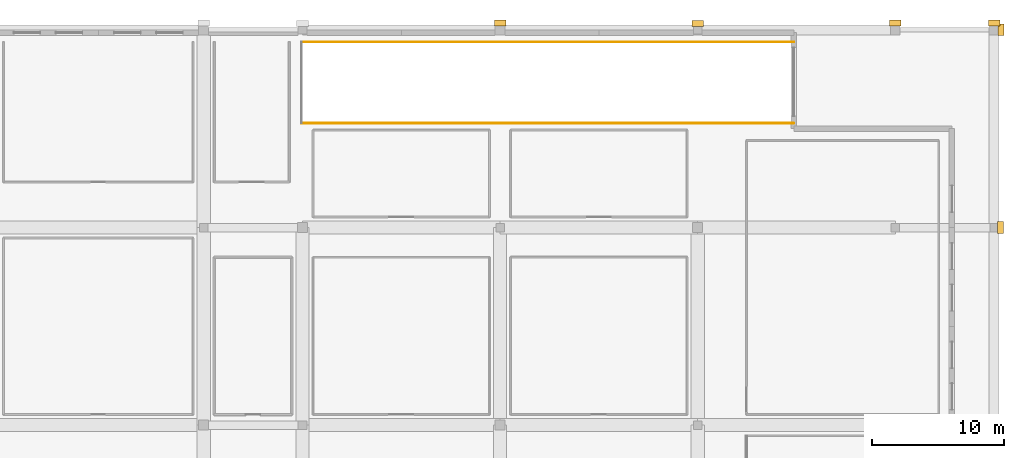
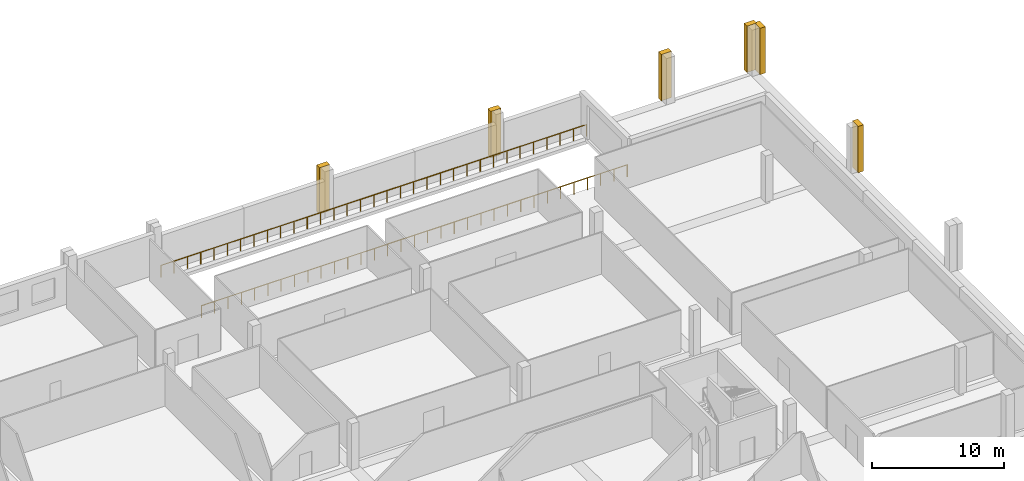
# One storey, part 33 of 33: 6 coverings, 2 railings.
"""IFC4 building model written with IfcOpenShell, lengths in metres."""

from ifc_helpers import new_model, si_unit, direction, frame, origin, origin_2d, place, context, subcontext, project, spatial, rectangle, circle, extrude, material, layer, layer_set, type_object, element, save


model = new_model("IFC4")

# Units and contexts
model_context = context("Model", 3, precision=1e-05, world=origin(), true_north=direction((0.0, 1.0)))
body_context = subcontext(model_context, "Body", "Model", "MODEL_VIEW")
ifc_project = project(units=[si_unit("LENGTHUNIT", "METRE"), si_unit("AREAUNIT", "SQUARE_METRE"), si_unit("VOLUMEUNIT", "CUBIC_METRE"), si_unit("PLANEANGLEUNIT", "RADIAN"), si_unit("MASSUNIT", "GRAM", prefix="KILO")], contexts=[model_context])

# Site, building, storey
site_placement = place(None, origin())
site = spatial("IfcSite", under=ifc_project, at=site_placement, CompositionType="ELEMENT")
building_placement = place(site_placement, origin())
building = spatial("IfcBuilding", under=site, at=building_placement, Name="Akrevak Sports Hall", CompositionType="ELEMENT")
storey_placement = place(building_placement, origin())
storey = spatial("IfcBuildingStorey", under=building, at=storey_placement, Name="L00", CompositionType="ELEMENT", Elevation=0.0)

# Coverings
ifc_material_1 = material(Name="Limestone Ashlar", Category="stone")
ifc_layer_1 = layer(ifc_material_1, 0.47998046875, Name="Limestone Ashlar")
ifc_layer_set_1 = layer_set([ifc_layer_1], Name="Limestone Ashlar")
covering_type = type_object("IfcCoveringType", Name="ARC-COV-PIL-LIM", PredefinedType="CLADDING", material=ifc_layer_set_1)
for number, where, z_axis, x_axis, name in (
    (1, (168.47509765625, 99.0, 0.0), (0.0, 0.0, 1.0), (0.0, 1.0, 0.0), "Giant-Order Limestone Pilaster L00-02-24"),
    (2, (168.52490234375, 114.0, 0.0), (0.0, 0.0, 1.0), (0.0, 1.0, 0.0), "Giant-Order Limestone Pilaster L00-02-25"),
    (3, (130.5, 114.52490234375, 0.0), (0.0, 0.0, 1.0), (-1.0, 0.0, 0.0), "Giant-Order Limestone Pilaster L00-03-36"),
    (4, (145.5, 114.47509765625, 0.0), (0.0, 0.0, 1.0), (-1.0, 0.0, 0.0), "Giant-Order Limestone Pilaster L00-03-37"),
    (5, (160.5, 114.52490234375, 0.0), (0.0, 0.0, 1.0), (-1.0, 0.0, 0.0), "Giant-Order Limestone Pilaster L00-03-38"),
    (6, (168.0, 114.52490234375, 0.0), (0.0, 0.0, 1.0), (-1.0, 0.0, 0.0), "Giant-Order Limestone Pilaster L00-03-38"),
):
    element("IfcCovering", number, at=place(storey_placement, frame(where, z_axis=z_axis, x_axis=x_axis)), inside=storey, type_object=covering_type, Name=name, PredefinedType="CLADDING", context=body_context, shape_type="SweptSolid", body=[
        extrude(rectangle(XDim=0.8798828125, YDim=0.4599609375, at=origin_2d()), origin(), (0.0, 0.0, 1.0), 4.300048828125),
    ])

# Railings
ifc_material_2 = material(Name="Painted Architectural Balustrade Steel", Category="steel")
ifc_layer_2 = layer(ifc_material_2, 0.06005859375, Name="Painted Architectural Balustrade Steel")
ifc_layer_set_2 = layer_set([ifc_layer_2], Name="Painted Architectural Balustrade Steel")
railing_type = type_object("IfcRailingType", Name="ARC-RL-GRD-1120", PredefinedType="GUARDRAIL", material=ifc_layer_set_2)
railing_1_placement = place(storey_placement, frame((115.419921875, 106.919921875, 0.0)))
element("IfcRailing", 7, at=railing_1_placement, inside=storey, type_object=railing_type, Name="L00 Vehicle Ramp Well Guardrail S", PredefinedType="GUARDRAIL", context=body_context, shape_type="SweptSolid", body=[
    extrude(circle(Radius=0.02392578125, at=origin_2d()), frame((0.0, 0.0, 1.09619140625), z_axis=(1.0, 0.0, 0.0), x_axis=(0.0, 1.0, 0.0)), (0.0, 0.0, 1.0), 37.380126953125),
    extrude(circle(Radius=0.02099609375, at=origin_2d()), origin(), (0.0, 0.0, 1.0), 1.072021484375),
    extrude(circle(Radius=0.02099609375, at=origin_2d()), frame((1.168212890625, 0.0, 0.0)), (0.0, 0.0, 1.0), 1.072021484375),
    extrude(circle(Radius=0.02099609375, at=origin_2d()), frame((2.336181640625, 0.0, 0.0)), (0.0, 0.0, 1.0), 1.072021484375),
    extrude(circle(Radius=0.02099609375, at=origin_2d()), frame((3.50439453125, 0.0, 0.0)), (0.0, 0.0, 1.0), 1.072021484375),
    extrude(circle(Radius=0.02099609375, at=origin_2d()), frame((4.672607421875, 0.0, 0.0)), (0.0, 0.0, 1.0), 1.072021484375),
    extrude(circle(Radius=0.02099609375, at=origin_2d()), frame((5.840576171875, 0.0, 0.0)), (0.0, 0.0, 1.0), 1.072021484375),
    extrude(circle(Radius=0.02099609375, at=origin_2d()), frame((7.0087890625, 0.0, 0.0)), (0.0, 0.0, 1.0), 1.072021484375),
    extrude(circle(Radius=0.02099609375, at=origin_2d()), frame((8.177001953125, 0.0, 0.0)), (0.0, 0.0, 1.0), 1.072021484375),
    extrude(circle(Radius=0.02099609375, at=origin_2d()), frame((9.344970703125, 0.0, 0.0)), (0.0, 0.0, 1.0), 1.072021484375),
    extrude(circle(Radius=0.02099609375, at=origin_2d()), frame((10.51318359375, 0.0, 0.0)), (0.0, 0.0, 1.0), 1.072021484375),
    extrude(circle(Radius=0.02099609375, at=origin_2d()), frame((11.681396484375, 0.0, 0.0)), (0.0, 0.0, 1.0), 1.072021484375),
    extrude(circle(Radius=0.02099609375, at=origin_2d()), frame((12.849365234375, 0.0, 0.0)), (0.0, 0.0, 1.0), 1.072021484375),
    extrude(circle(Radius=0.02099609375, at=origin_2d()), frame((14.017578125, 0.0, 0.0)), (0.0, 0.0, 1.0), 1.072021484375),
    extrude(circle(Radius=0.02099609375, at=origin_2d()), frame((15.185791015625, 0.0, 0.0)), (0.0, 0.0, 1.0), 1.072021484375),
    extrude(circle(Radius=0.02099609375, at=origin_2d()), frame((16.353759765625, 0.0, 0.0)), (0.0, 0.0, 1.0), 1.072021484375),
    extrude(circle(Radius=0.02099609375, at=origin_2d()), frame((17.52197265625, 0.0, 0.0)), (0.0, 0.0, 1.0), 1.072021484375),
    extrude(circle(Radius=0.02099609375, at=origin_2d()), frame((18.68994140625, 0.0, 0.0)), (0.0, 0.0, 1.0), 1.072021484375),
    extrude(circle(Radius=0.02099609375, at=origin_2d()), frame((19.858154296875, 0.0, 0.0)), (0.0, 0.0, 1.0), 1.072021484375),
    extrude(circle(Radius=0.02099609375, at=origin_2d()), frame((21.0263671875, 0.0, 0.0)), (0.0, 0.0, 1.0), 1.072021484375),
    extrude(circle(Radius=0.02099609375, at=origin_2d()), frame((22.1943359375, 0.0, 0.0)), (0.0, 0.0, 1.0), 1.072021484375),
    extrude(circle(Radius=0.02099609375, at=origin_2d()), frame((23.362548828125, 0.0, 0.0)), (0.0, 0.0, 1.0), 1.072021484375),
    extrude(circle(Radius=0.02099609375, at=origin_2d()), frame((24.53076171875, 0.0, 0.0)), (0.0, 0.0, 1.0), 1.072021484375),
    extrude(circle(Radius=0.02099609375, at=origin_2d()), frame((25.69873046875, 0.0, 0.0)), (0.0, 0.0, 1.0), 1.072021484375),
    extrude(circle(Radius=0.02099609375, at=origin_2d()), frame((26.866943359375, 0.0, 0.0)), (0.0, 0.0, 1.0), 1.072021484375),
    extrude(circle(Radius=0.02099609375, at=origin_2d()), frame((28.03515625, 0.0, 0.0)), (0.0, 0.0, 1.0), 1.072021484375),
    extrude(circle(Radius=0.02099609375, at=origin_2d()), frame((29.203125, 0.0, 0.0)), (0.0, 0.0, 1.0), 1.072021484375),
    extrude(circle(Radius=0.02099609375, at=origin_2d()), frame((30.371337890625, 0.0, 0.0)), (0.0, 0.0, 1.0), 1.072021484375),
    extrude(circle(Radius=0.02099609375, at=origin_2d()), frame((31.53955078125, 0.0, 0.0)), (0.0, 0.0, 1.0), 1.072021484375),
    extrude(circle(Radius=0.02099609375, at=origin_2d()), frame((32.70751953125, 0.0, 0.0)), (0.0, 0.0, 1.0), 1.072021484375),
    extrude(circle(Radius=0.02099609375, at=origin_2d()), frame((33.875732421875, 0.0, 0.0)), (0.0, 0.0, 1.0), 1.072021484375),
    extrude(circle(Radius=0.02099609375, at=origin_2d()), frame((35.0439453125, 0.0, 0.0)), (0.0, 0.0, 1.0), 1.072021484375),
    extrude(circle(Radius=0.02099609375, at=origin_2d()), frame((36.2119140625, 0.0, 0.0)), (0.0, 0.0, 1.0), 1.072021484375),
    extrude(circle(Radius=0.02099609375, at=origin_2d()), frame((37.380126953125, 0.0, 0.0)), (0.0, 0.0, 1.0), 1.072021484375),
])
railing_2_placement = place(storey_placement, frame((115.419921875, 113.080078125, 0.0)))
element("IfcRailing", 8, at=railing_2_placement, inside=storey, type_object=railing_type, Name="L00 Vehicle Ramp Well Guardrail N", PredefinedType="GUARDRAIL", context=body_context, shape_type="SweptSolid", body=[
    extrude(circle(Radius=0.02392578125, at=origin_2d()), frame((0.0, 0.0, 1.09619140625), z_axis=(1.0, 0.0, 0.0), x_axis=(0.0, 1.0, 0.0)), (0.0, 0.0, 1.0), 37.380126953125),
    extrude(circle(Radius=0.02099609375, at=origin_2d()), origin(), (0.0, 0.0, 1.0), 1.072021484375),
    extrude(circle(Radius=0.02099609375, at=origin_2d()), frame((1.168212890625, 0.0, 0.0)), (0.0, 0.0, 1.0), 1.072021484375),
    extrude(circle(Radius=0.02099609375, at=origin_2d()), frame((2.336181640625, 0.0, 0.0)), (0.0, 0.0, 1.0), 1.072021484375),
    extrude(circle(Radius=0.02099609375, at=origin_2d()), frame((3.50439453125, 0.0, 0.0)), (0.0, 0.0, 1.0), 1.072021484375),
    extrude(circle(Radius=0.02099609375, at=origin_2d()), frame((4.672607421875, 0.0, 0.0)), (0.0, 0.0, 1.0), 1.072021484375),
    extrude(circle(Radius=0.02099609375, at=origin_2d()), frame((5.840576171875, 0.0, 0.0)), (0.0, 0.0, 1.0), 1.072021484375),
    extrude(circle(Radius=0.02099609375, at=origin_2d()), frame((7.0087890625, 0.0, 0.0)), (0.0, 0.0, 1.0), 1.072021484375),
    extrude(circle(Radius=0.02099609375, at=origin_2d()), frame((8.177001953125, 0.0, 0.0)), (0.0, 0.0, 1.0), 1.072021484375),
    extrude(circle(Radius=0.02099609375, at=origin_2d()), frame((9.344970703125, 0.0, 0.0)), (0.0, 0.0, 1.0), 1.072021484375),
    extrude(circle(Radius=0.02099609375, at=origin_2d()), frame((10.51318359375, 0.0, 0.0)), (0.0, 0.0, 1.0), 1.072021484375),
    extrude(circle(Radius=0.02099609375, at=origin_2d()), frame((11.681396484375, 0.0, 0.0)), (0.0, 0.0, 1.0), 1.072021484375),
    extrude(circle(Radius=0.02099609375, at=origin_2d()), frame((12.849365234375, 0.0, 0.0)), (0.0, 0.0, 1.0), 1.072021484375),
    extrude(circle(Radius=0.02099609375, at=origin_2d()), frame((14.017578125, 0.0, 0.0)), (0.0, 0.0, 1.0), 1.072021484375),
    extrude(circle(Radius=0.02099609375, at=origin_2d()), frame((15.185791015625, 0.0, 0.0)), (0.0, 0.0, 1.0), 1.072021484375),
    extrude(circle(Radius=0.02099609375, at=origin_2d()), frame((16.353759765625, 0.0, 0.0)), (0.0, 0.0, 1.0), 1.072021484375),
    extrude(circle(Radius=0.02099609375, at=origin_2d()), frame((17.52197265625, 0.0, 0.0)), (0.0, 0.0, 1.0), 1.072021484375),
    extrude(circle(Radius=0.02099609375, at=origin_2d()), frame((18.68994140625, 0.0, 0.0)), (0.0, 0.0, 1.0), 1.072021484375),
    extrude(circle(Radius=0.02099609375, at=origin_2d()), frame((19.858154296875, 0.0, 0.0)), (0.0, 0.0, 1.0), 1.072021484375),
    extrude(circle(Radius=0.02099609375, at=origin_2d()), frame((21.0263671875, 0.0, 0.0)), (0.0, 0.0, 1.0), 1.072021484375),
    extrude(circle(Radius=0.02099609375, at=origin_2d()), frame((22.1943359375, 0.0, 0.0)), (0.0, 0.0, 1.0), 1.072021484375),
    extrude(circle(Radius=0.02099609375, at=origin_2d()), frame((23.362548828125, 0.0, 0.0)), (0.0, 0.0, 1.0), 1.072021484375),
    extrude(circle(Radius=0.02099609375, at=origin_2d()), frame((24.53076171875, 0.0, 0.0)), (0.0, 0.0, 1.0), 1.072021484375),
    extrude(circle(Radius=0.02099609375, at=origin_2d()), frame((25.69873046875, 0.0, 0.0)), (0.0, 0.0, 1.0), 1.072021484375),
    extrude(circle(Radius=0.02099609375, at=origin_2d()), frame((26.866943359375, 0.0, 0.0)), (0.0, 0.0, 1.0), 1.072021484375),
    extrude(circle(Radius=0.02099609375, at=origin_2d()), frame((28.03515625, 0.0, 0.0)), (0.0, 0.0, 1.0), 1.072021484375),
    extrude(circle(Radius=0.02099609375, at=origin_2d()), frame((29.203125, 0.0, 0.0)), (0.0, 0.0, 1.0), 1.072021484375),
    extrude(circle(Radius=0.02099609375, at=origin_2d()), frame((30.371337890625, 0.0, 0.0)), (0.0, 0.0, 1.0), 1.072021484375),
    extrude(circle(Radius=0.02099609375, at=origin_2d()), frame((31.53955078125, 0.0, 0.0)), (0.0, 0.0, 1.0), 1.072021484375),
    extrude(circle(Radius=0.02099609375, at=origin_2d()), frame((32.70751953125, 0.0, 0.0)), (0.0, 0.0, 1.0), 1.072021484375),
    extrude(circle(Radius=0.02099609375, at=origin_2d()), frame((33.875732421875, 0.0, 0.0)), (0.0, 0.0, 1.0), 1.072021484375),
    extrude(circle(Radius=0.02099609375, at=origin_2d()), frame((35.0439453125, 0.0, 0.0)), (0.0, 0.0, 1.0), 1.072021484375),
    extrude(circle(Radius=0.02099609375, at=origin_2d()), frame((36.2119140625, 0.0, 0.0)), (0.0, 0.0, 1.0), 1.072021484375),
    extrude(circle(Radius=0.02099609375, at=origin_2d()), frame((37.380126953125, 0.0, 0.0)), (0.0, 0.0, 1.0), 1.072021484375),
])

save(model, "model.ifc")
